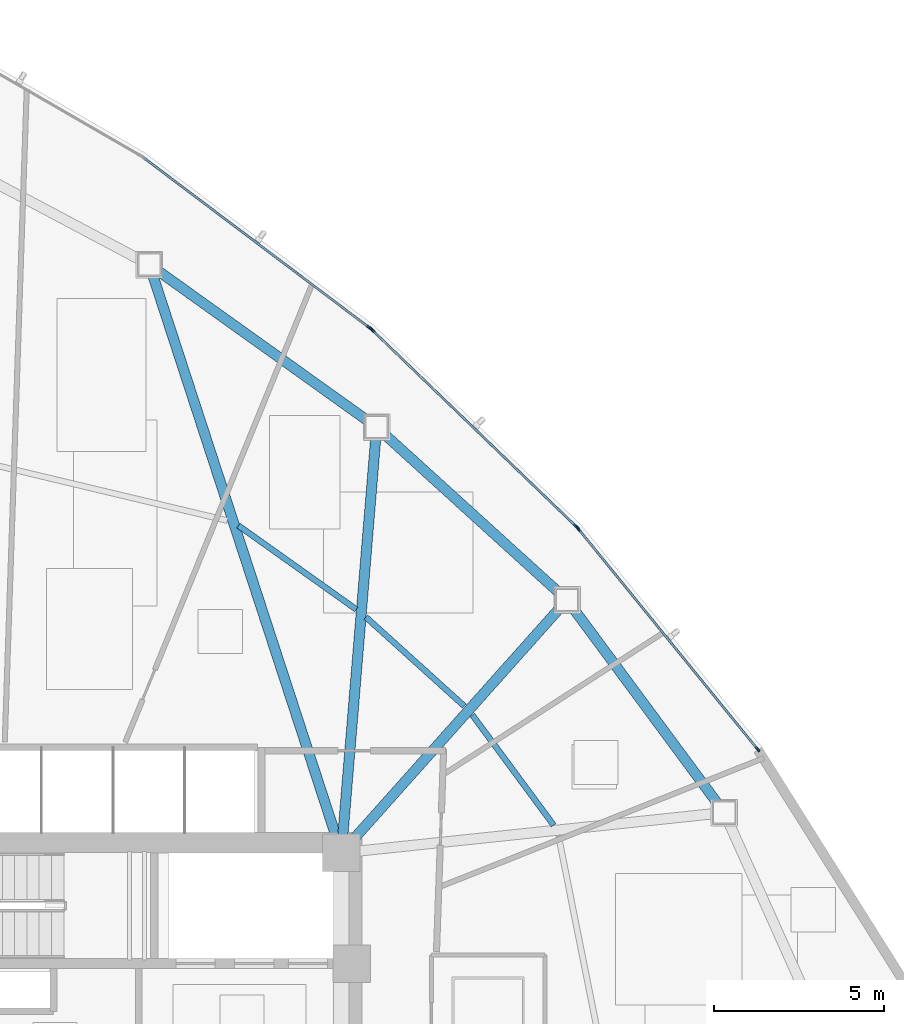
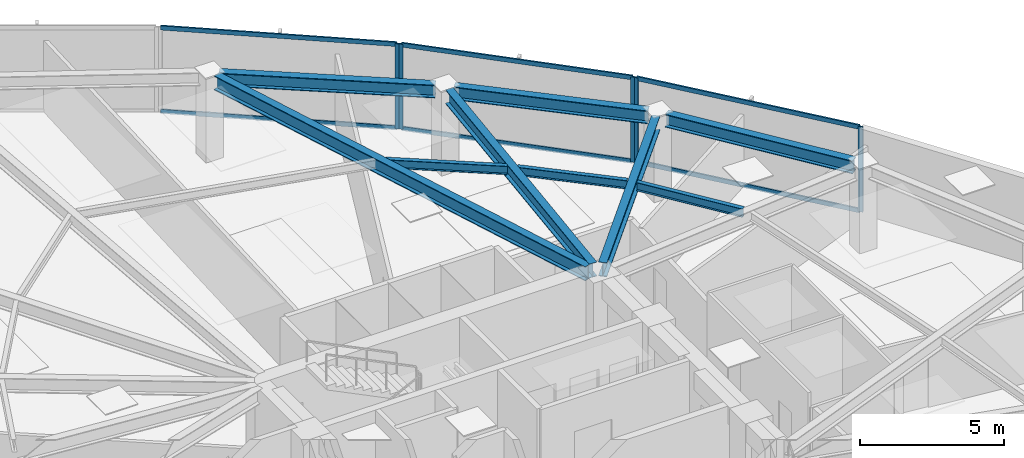
# One storey, part 9 of 17: 11 members, 9 beams, 3 elements without a shape of their own.
"""IFC4 building model written with IfcOpenShell, lengths in metres."""

from ifc_helpers import new_model, si_unit, direction, frame, origin, origin_2d, place, context, subcontext, project, spatial, hollow_rectangle, i_section, extrude, source, transform, mapped, material, layer, layer_set, material_profile, profile_set, type_object, type_shapes, element, aggregate, save


model = new_model("IFC4")

# Units and contexts
model_context = context("Model", 3, precision=1e-05, world=origin(), true_north=direction((0.0, 1.0)))
body_context = subcontext(model_context, "Body", "Model", "MODEL_VIEW")
ifc_project = project(units=[si_unit("LENGTHUNIT", "METRE"), si_unit("AREAUNIT", "SQUARE_METRE"), si_unit("VOLUMEUNIT", "CUBIC_METRE"), si_unit("PLANEANGLEUNIT", "RADIAN"), si_unit("MASSUNIT", "GRAM", prefix="KILO")], contexts=[model_context])

# Site, building, storey
site_placement = place(None, origin())
site = spatial("IfcSite", under=ifc_project, at=site_placement, CompositionType="ELEMENT")
building_placement = place(site_placement, origin())
building = spatial("IfcBuilding", under=site, at=building_placement, Name="Tavelor Broadcast Tower", CompositionType="ELEMENT")
storey_placement = place(building_placement, frame((0.0, 0.0, 78.300048828125)))
storey = spatial("IfcBuildingStorey", under=building, at=storey_placement, Name="L18", CompositionType="ELEMENT", Elevation=78.300048828125)

# Beams
ifc_material_1 = material(Name="Steel S355", Category="steel")
ifc_material_profile_1 = material_profile(ifc_material_1, i_section(OverallWidth=0.169921875, OverallDepth=0.360107421875, WebThickness=0.008056640625, FlangeThickness=0.0126953125, at=origin_2d()), Name="IPE 360")
ifc_profile_set_1 = profile_set([ifc_material_profile_1], Name="Steel S355")
beam_type_1 = type_object("IfcBeamType", Name="Composite Floor Joist T2 IPE 360", PredefinedType="JOIST", material=ifc_profile_set_1)
beam_1_placement = place(storey_placement, frame((62.831298828125, 52.012451171875, 3.419921875), z_axis=(-0.593748309908, 0.804650821463, 0.0), x_axis=(-0.804650821463, -0.593748309908, 0.0)))
element("IfcBeam", 1, at=beam_1_placement, inside=storey, type_object=beam_type_1, Name="L18 Secondary Composite Floor Joist 15", PredefinedType="JOIST", context=body_context, shape_type="SweptSolid", body=[
    extrude(i_section(OverallWidth=0.169921875, OverallDepth=0.360107421875, WebThickness=0.008056640625, FlangeThickness=0.0126953125, at=origin_2d()), origin(), (0.0, 0.0, 1.0), 4.016845703125),
])
beam_2_placement = place(storey_placement, frame((60.20458984375, 55.51171875, 3.419921875), z_axis=(-0.741870075826, 0.670543653011, 0.0), x_axis=(-0.670543653011, -0.741870075826, 0.0)))
element("IfcBeam", 2, at=beam_2_placement, inside=storey, type_object=beam_type_1, Name="L18 Secondary Composite Floor Joist 16", PredefinedType="JOIST", context=body_context, shape_type="SweptSolid", body=[
    extrude(i_section(OverallWidth=0.169921875, OverallDepth=0.360107421875, WebThickness=0.008056640625, FlangeThickness=0.0126953125, at=origin_2d()), origin(), (0.0, 0.0, 1.0), 3.891845703125),
])
beam_3_placement = place(storey_placement, frame((57.03564453125, 58.34765625, 3.419921875), z_axis=(-0.814948080737, 0.579533972864, 0.0), x_axis=(-0.579533972864, -0.814948080737, 0.0)))
element("IfcBeam", 3, at=beam_3_placement, inside=storey, type_object=beam_type_1, Name="L18 Secondary Composite Floor Joist 17", PredefinedType="JOIST", context=body_context, shape_type="SweptSolid", body=[
    extrude(i_section(OverallWidth=0.169921875, OverallDepth=0.360107421875, WebThickness=0.008056640625, FlangeThickness=0.0126953125, at=origin_2d()), origin(), (0.0, 0.0, 1.0), 4.24462890625),
])
ifc_material_profile_2 = material_profile(ifc_material_1, i_section(OverallWidth=0.300048828125, OverallDepth=0.550048828125, WebThickness=0.014892578125, FlangeThickness=0.029052734375, at=origin_2d()), Name="HEB 550")
ifc_profile_set_2 = profile_set([ifc_material_profile_2], Name="Steel S355")
beam_type_2 = type_object("IfcBeamType", Name="Perimeter Spandrel Beam T2 HEB 550", PredefinedType="SPANDREL", material=ifc_profile_set_2)
beam_4_placement = place(storey_placement, frame((67.640869140625, 52.652587890625, 3.324951171875), z_axis=(-0.594676591659, 0.803965018724, 0.0), x_axis=(-0.803965018724, -0.594676591659, 0.0)))
element("IfcBeam", 4, at=beam_4_placement, inside=storey, type_object=beam_type_2, Name="L18 Framed-Tube Ring Spandrel 15", PredefinedType="SPANDREL", context=body_context, shape_type="SweptSolid", body=[
    extrude(i_section(OverallWidth=0.300048828125, OverallDepth=0.550048828125, WebThickness=0.014892578125, FlangeThickness=0.029052734375, at=origin_2d()), origin(), (0.0, 0.0, 1.0), 7.09130859375),
])
beam_5_placement = place(storey_placement, frame((62.975341796875, 58.849609375, 3.324951171875), z_axis=(-0.740416987409, 0.672147814663, 0.0), x_axis=(-0.672147814663, -0.740416987409, 0.0)))
element("IfcBeam", 5, at=beam_5_placement, inside=storey, type_object=beam_type_2, Name="L18 Framed-Tube Ring Spandrel 16", PredefinedType="SPANDREL", context=body_context, shape_type="SweptSolid", body=[
    extrude(i_section(OverallWidth=0.300048828125, OverallDepth=0.550048828125, WebThickness=0.014892578125, FlangeThickness=0.029052734375, at=origin_2d()), origin(), (0.0, 0.0, 1.0), 6.876953125),
])
beam_6_placement = place(storey_placement, frame((57.361572265625, 63.893310546875, 3.324951171875), z_axis=(-0.813492458128, 0.581575464208, 0.0), x_axis=(-0.581575464208, -0.813492458128, 0.0)))
element("IfcBeam", 6, at=beam_6_placement, inside=storey, type_object=beam_type_2, Name="L18 Framed-Tube Ring Spandrel 17", PredefinedType="SPANDREL", context=body_context, shape_type="SweptSolid", body=[
    extrude(i_section(OverallWidth=0.300048828125, OverallDepth=0.550048828125, WebThickness=0.014892578125, FlangeThickness=0.029052734375, at=origin_2d()), origin(), (0.0, 0.0, 1.0), 7.531005859375),
])
ifc_material_profile_3 = material_profile(ifc_material_1, i_section(OverallWidth=0.300048828125, OverallDepth=0.60009765625, WebThickness=0.015380859375, FlangeThickness=0.030029296875, at=origin_2d()), Name="HEB 600")
ifc_profile_set_3 = profile_set([ifc_material_profile_3], Name="Steel S355")
beam_type_3 = type_object("IfcBeamType", Name="Radial Floor Girder T2 HEB 600", PredefinedType="BEAM", material=ifc_profile_set_3)
beam_7_placement = place(storey_placement, frame((56.951416015625, 51.593994140625, 3.300048828125), z_axis=(0.665778646807, 0.74614931043, 0.0), x_axis=(-0.74614931043, 0.665778646807, 0.0)))
element("IfcBeam", 7, at=beam_7_placement, inside=storey, type_object=beam_type_3, Name="L18 Radial Primary Floor Girder 16", PredefinedType="BEAM", context=body_context, shape_type="SweptSolid", body=[
    extrude(i_section(OverallWidth=0.300048828125, OverallDepth=0.60009765625, WebThickness=0.015380859375, FlangeThickness=0.030029296875, at=origin_2d()), origin(), (0.0, 0.0, 1.0), 9.085693359375),
])
beam_8_placement = place(storey_placement, frame((56.6435546875, 51.726318359375, 3.300048828125), z_axis=(0.082528077466, 0.996588739867, 0.0), x_axis=(-0.996588739867, 0.082528077466, 0.0)))
element("IfcBeam", 8, at=beam_8_placement, inside=storey, type_object=beam_type_3, Name="L18 Radial Primary Floor Girder 17", PredefinedType="BEAM", context=body_context, shape_type="SweptSolid", body=[
    extrude(i_section(OverallWidth=0.300048828125, OverallDepth=0.60009765625, WebThickness=0.015380859375, FlangeThickness=0.030029296875, at=origin_2d()), origin(), (0.0, 0.0, 1.0), 11.67626953125),
])
beam_9_placement = place(storey_placement, frame((56.43603515625, 51.701904296875, 3.300048828125), z_axis=(-0.310367170997, 0.950616757251, 0.0), x_axis=(-0.950616757251, -0.310367170997, 0.0)))
element("IfcBeam", 9, at=beam_9_placement, inside=storey, type_object=beam_type_3, Name="L18 Radial Primary Floor Girder 18", PredefinedType="BEAM", context=body_context, shape_type="SweptSolid", body=[
    extrude(i_section(OverallWidth=0.300048828125, OverallDepth=0.60009765625, WebThickness=0.015380859375, FlangeThickness=0.030029296875, at=origin_2d()), origin(), (0.0, 0.0, 1.0), 17.3017578125),
])

# Curtain wall, members
ifc_material_2 = material(Name="Architectural Anodized Aluminium", Category="aluminium")
ifc_layer = layer(ifc_material_2, 0.179931640625)
ifc_layer_set = layer_set([ifc_layer], Name="Architectural Anodized Aluminium")
curtain_wall_type = type_object("IfcCurtainWallType", Name="Tower Low-Zone Unitised Curtain Wall CW02", PredefinedType="NOTDEFINED", material=ifc_layer_set)
curtain_wall_1_placement = place(storey_placement, origin())
curtain_wall_1 = element("IfcCurtainWall", 10, at=curtain_wall_1_placement, inside=storey, type_object=curtain_wall_type, Name="L18 Curtain Wall CW02 Run 177", PredefinedType="NOTDEFINED")
ifc_material_profile_4 = material_profile(ifc_material_2, hollow_rectangle(XDim=0.06494140625, YDim=0.179931640625, WallThickness=0.02197265625, at=origin_2d()), Name="RHS 65x180x22")
ifc_profile_set_4 = profile_set([ifc_material_profile_4], Name="Architectural Anodized Aluminium")
member_type_1 = type_object("IfcMemberType", Name="CW02 Extruded Aluminium Mullion 65x180", PredefinedType="MULLION", material=ifc_profile_set_4)
shared_shape_1 = source(origin(), body_context, "Body", "SweptSolid", [
    extrude(hollow_rectangle(XDim=0.06494140625, YDim=0.179931640625, WallThickness=0.02197265625, at=origin_2d()), origin(), (0.0, 0.0, 1.0), 3.599853515625),
])
type_shapes(member_type_1, [shared_shape_1])
member_1_placement = place(storey_placement, frame((68.815185546875, 54.245361328125, 0.0), z_axis=(0.0, 0.0, 1.0), x_axis=(-0.775765017696, -0.63102189924, 0.0)))
member_1 = element("IfcMember", 11, at=member_1_placement, type_object=member_type_1, Name="CW02 mullion 1", PredefinedType="MULLION", context=body_context, shape_type="MappedRepresentation", body=[
    mapped(shared_shape_1, transform((0.0, 0.0, 0.0), scale=1.0)),
])
member_2_placement = place(storey_placement, frame((63.5556640625, 60.711181640625, 0.0), z_axis=(0.0, 0.0, 1.0), x_axis=(-0.775765017696, -0.63102189924, 0.0)))
member_2 = element("IfcMember", 12, at=member_2_placement, type_object=member_type_1, Name="CW02 mullion 2", PredefinedType="MULLION", context=body_context, shape_type="MappedRepresentation", body=[
    mapped(shared_shape_1, transform((0.0, 0.0, 0.0), scale=1.0)),
])

curtain_wall_2_placement = place(storey_placement, origin())
curtain_wall_2 = element("IfcCurtainWall", 13, at=curtain_wall_2_placement, inside=storey, type_object=curtain_wall_type, Name="L18 Curtain Wall CW02 Run 178", PredefinedType="NOTDEFINED")
member_3_placement = place(storey_placement, frame((63.49169921875, 60.781005859375, 0.0), z_axis=(0.0, 0.0, 1.0), x_axis=(-0.693714108112, -0.720250467689, 0.0)))
member_3 = element("IfcMember", 14, at=member_3_placement, type_object=member_type_1, Name="CW02 mullion 1", PredefinedType="MULLION", context=body_context, shape_type="MappedRepresentation", body=[
    mapped(shared_shape_1, transform((0.0, 0.0, 0.0), scale=1.0)),
])
member_4_placement = place(storey_placement, frame((57.499267578125, 66.552490234375, 0.0), z_axis=(0.0, 0.0, 1.0), x_axis=(-0.693714108112, -0.720250467689, 0.0)))
member_4 = element("IfcMember", 15, at=member_4_placement, type_object=member_type_1, Name="CW02 mullion 2", PredefinedType="MULLION", context=body_context, shape_type="MappedRepresentation", body=[
    mapped(shared_shape_1, transform((0.0, 0.0, 0.0), scale=1.0)),
])

curtain_wall_3_placement = place(storey_placement, origin())
curtain_wall_3 = element("IfcCurtainWall", 16, at=curtain_wall_3_placement, inside=storey, type_object=curtain_wall_type, Name="L18 Curtain Wall CW02 Run 179", PredefinedType="NOTDEFINED")
member_5_placement = place(storey_placement, frame((57.42724609375, 66.614013671875, 0.0), z_axis=(0.0, 0.0, 1.0), x_axis=(-0.601460699094, -0.798902389185, 0.0)))
member_5 = element("IfcMember", 17, at=member_5_placement, type_object=member_type_1, Name="CW02 mullion 1", PredefinedType="MULLION", context=body_context, shape_type="MappedRepresentation", body=[
    mapped(shared_shape_1, transform((0.0, 0.0, 0.0), scale=1.0)),
])
ifc_material_profile_5 = material_profile(ifc_material_2, hollow_rectangle(XDim=0.06494140625, YDim=0.179931640625, WallThickness=0.02197265625, at=origin_2d()), Name="RHS 65x180x22")
ifc_profile_set_5 = profile_set([ifc_material_profile_5], Name="Architectural Anodized Aluminium")
member_type_2 = type_object("IfcMemberType", Name="CW02 Extruded Aluminium Transom 65x180", PredefinedType="USERDEFINED", material=ifc_profile_set_5)
shared_shape_2 = source(origin(), body_context, "Body", "SweptSolid", [
    extrude(hollow_rectangle(XDim=0.06494140625, YDim=0.179931640625, WallThickness=0.02197265625, at=origin_2d()), origin(), (0.0, 0.0, 1.0), 8.254638671875),
])
member_6_placement = place(storey_placement, frame((57.401123046875, 66.633544921875, 0.032470703125), z_axis=(-0.798905545213, 0.601456507013, 0.0), x_axis=(-0.601456507013, -0.798905545213, 0.0)))
member_6 = element("IfcMember", 18, at=member_6_placement, type_object=member_type_2, Name="CW02 transom 1.1", ObjectType="TRANSOM", PredefinedType="USERDEFINED", context=body_context, shape_type="MappedRepresentation", body=[
    mapped(shared_shape_2, transform((0.0, 0.0, 0.0), scale=1.0)),
])
member_7_placement = place(storey_placement, frame((57.401123046875, 66.633544921875, 3.5673828125), z_axis=(-0.798905545213, 0.601456507013, 0.0), x_axis=(-0.601456507013, -0.798905545213, 0.0)))
member_7 = element("IfcMember", 19, at=member_7_placement, type_object=member_type_2, Name="CW02 transom 1.2", ObjectType="TRANSOM", PredefinedType="USERDEFINED", context=body_context, shape_type="MappedRepresentation", body=[
    mapped(shared_shape_2, transform((0.0, 0.0, 0.0), scale=1.0)),
])
aggregate(curtain_wall_3, [member_5, member_6, member_7])

# Member
shared_shape_3 = source(origin(), body_context, "Body", "SweptSolid", [
    extrude(hollow_rectangle(XDim=0.06494140625, YDim=0.179931640625, WallThickness=0.02197265625, at=origin_2d()), origin(), (0.0, 0.0, 1.0), 8.2548828125),
])
member_8_placement = place(storey_placement, frame((63.46826171875, 60.803466796875, 0.032470703125), z_axis=(-0.720246871183, 0.693717842174, 0.0), x_axis=(-0.693717842174, -0.720246871183, 0.0)))
member_8 = element("IfcMember", 20, at=member_8_placement, type_object=member_type_2, Name="CW02 transom 1.1", ObjectType="TRANSOM", PredefinedType="USERDEFINED", context=body_context, shape_type="MappedRepresentation", body=[
    mapped(shared_shape_3, transform((0.0, 0.0, 0.0), scale=1.0)),
])

member_9_placement = place(storey_placement, frame((63.46826171875, 60.803466796875, 3.5673828125), z_axis=(-0.720246871183, 0.693717842174, 0.0), x_axis=(-0.693717842174, -0.720246871183, 0.0)))
member_9 = element("IfcMember", 21, at=member_9_placement, type_object=member_type_2, Name="CW02 transom 1.2", ObjectType="TRANSOM", PredefinedType="USERDEFINED", context=body_context, shape_type="MappedRepresentation", body=[
    mapped(shared_shape_3, transform((0.0, 0.0, 0.0), scale=1.0)),
])

aggregate(curtain_wall_2, [member_3, member_4, member_8, member_9])

shared_shape_4 = source(origin(), body_context, "Body", "SweptSolid", [
    extrude(hollow_rectangle(XDim=0.06494140625, YDim=0.179931640625, WallThickness=0.02197265625, at=origin_2d()), origin(), (0.0, 0.0, 1.0), 8.269775390625),
])
type_shapes(member_type_2, [shared_shape_2, shared_shape_3, shared_shape_4])
member_10_placement = place(storey_placement, frame((68.794677734375, 54.2705078125, 0.032470703125), z_axis=(-0.631035979599, 0.775753564253, 0.0), x_axis=(-0.775753564253, -0.631035979599, 0.0)))
member_10 = element("IfcMember", 22, at=member_10_placement, type_object=member_type_2, Name="CW02 transom 1.1", ObjectType="TRANSOM", PredefinedType="USERDEFINED", context=body_context, shape_type="MappedRepresentation", body=[
    mapped(shared_shape_4, transform((0.0, 0.0, 0.0), scale=1.0)),
])

member_11_placement = place(storey_placement, frame((68.794677734375, 54.2705078125, 3.5673828125), z_axis=(-0.631035979599, 0.775753564253, 0.0), x_axis=(-0.775753564253, -0.631035979599, 0.0)))
member_11 = element("IfcMember", 23, at=member_11_placement, type_object=member_type_2, Name="CW02 transom 1.2", ObjectType="TRANSOM", PredefinedType="USERDEFINED", context=body_context, shape_type="MappedRepresentation", body=[
    mapped(shared_shape_4, transform((0.0, 0.0, 0.0), scale=1.0)),
])

aggregate(curtain_wall_1, [member_1, member_2, member_10, member_11])

save(model, "model.ifc")
